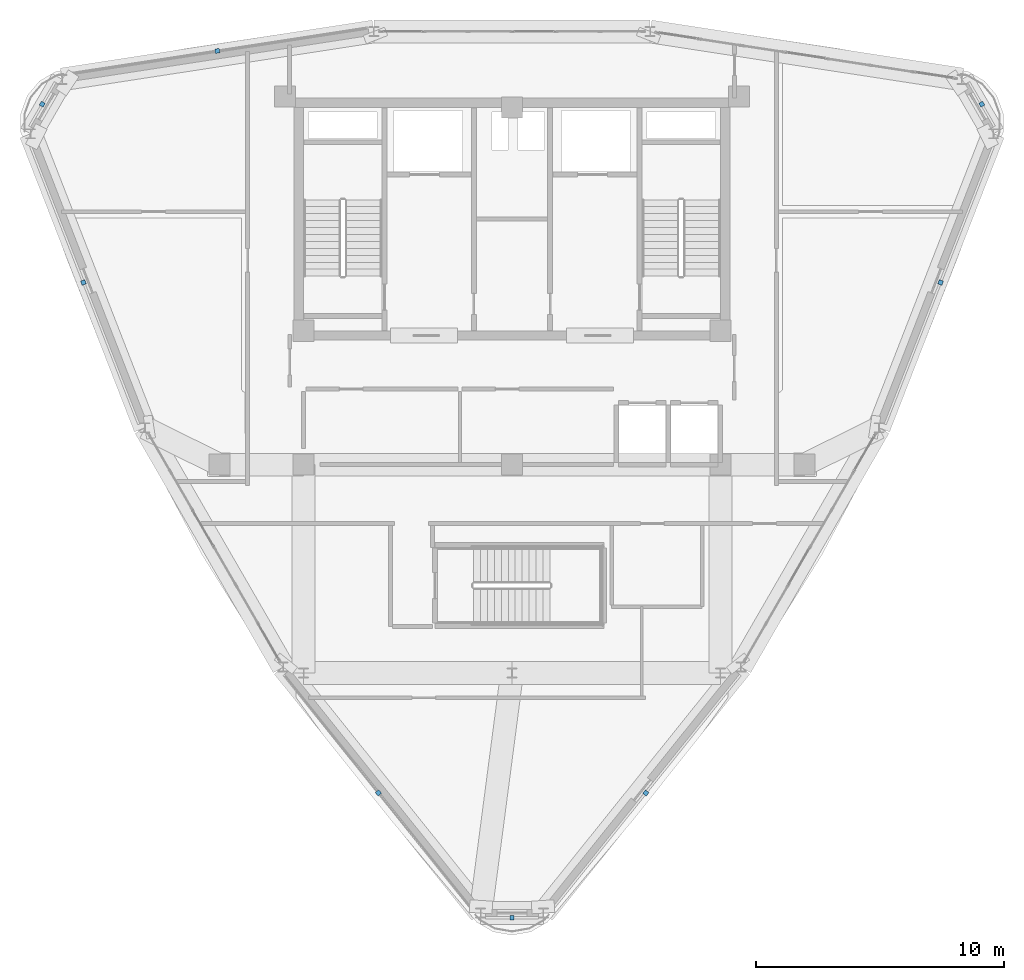
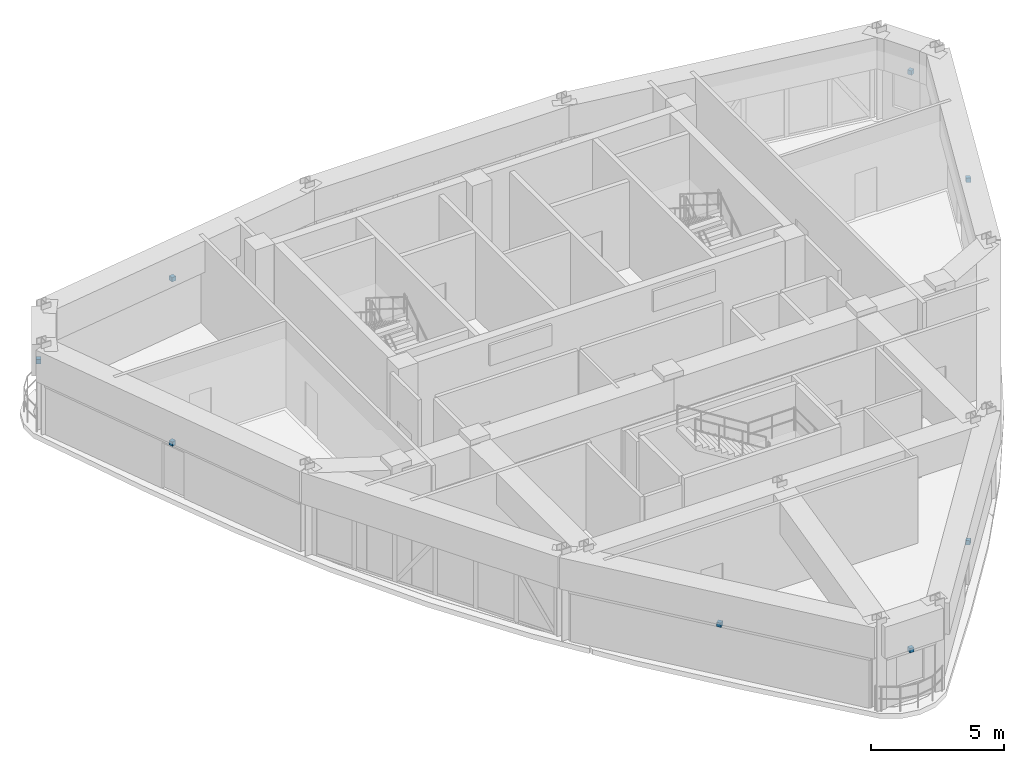
# One storey, part 15 of 17: 8 discrete accessories.
"""IFC4 building model written with IfcOpenShell, lengths in metres."""

from ifc_helpers import new_model, si_unit, derived_unit, direction, frame, origin, origin_2d, place, context, subcontext, project, spatial, rectangle, extrude, source, transform, mapped, material, type_object, element, save


model = new_model("IFC4")

# Units and contexts
model_context = context("Model", 3, precision=1e-05, world=origin(), true_north=direction((0.0, 1.0)))
body_context = subcontext(model_context, "Body", "Model", "MODEL_VIEW")
ifc_project = project(units=[si_unit("LENGTHUNIT", "METRE"), si_unit("AREAUNIT", "SQUARE_METRE"), si_unit("VOLUMEUNIT", "CUBIC_METRE"), si_unit("PLANEANGLEUNIT", "RADIAN"), si_unit("MASSUNIT", "GRAM", prefix="KILO"), derived_unit("THERMALTRANSMITTANCEUNIT", [(si_unit("POWERUNIT", "WATT"), 1), (si_unit("LENGTHUNIT", "METRE"), -2), (si_unit("THERMODYNAMICTEMPERATUREUNIT", "KELVIN"), -1)])], contexts=[model_context])

# Site, building, storey
site_placement = place(None, origin())
site = spatial("IfcSite", under=ifc_project, at=site_placement, CompositionType="ELEMENT")
building_placement = place(site_placement, origin())
building = spatial("IfcBuilding", under=site, at=building_placement, Name="Korsvarv Bourse and Concert Hall", CompositionType="ELEMENT")
storey_placement = place(building_placement, frame((0.0, 0.0, 279.60009765625)))
storey = spatial("IfcBuildingStorey", under=building, at=storey_placement, Name="L73", CompositionType="ELEMENT", Elevation=279.60009765625)

# Discrete accessories
ifc_material = material(Name="Stainless Steel S355 facade outrigger bracket", Category="steel")
discrete_accessory_type = type_object("IfcDiscreteAccessoryType", Name="ACC-BRK-1", PredefinedType="BRACKET", material=ifc_material)
shared_shape = source(origin(), body_context, "Body", "SweptSolid", [
    extrude(rectangle(XDim=0.179931640625, YDim=0.179931640625, at=origin_2d()), origin(), (0.0, 0.0, 1.0), 0.199951171875),
])
for number, where, z_axis, x_axis, name in (
    (1, (54.93701171875, 46.933349609375, 2.259765625), (0.0, 0.0, 1.0), (-0.5, 0.866025403784, 0.0), "L73 terracotta sunshade bracket EW-L73-B01"),
    (2, (24.118408203125, 49.07958984375, 2.259765625), (0.0, 0.0, 1.0), (-0.988388045954, -0.151950882248, 0.0), "L73 terracotta sunshade bracket EW-L73-B04"),
    (3, (17.06298828125, 46.933349609375, 2.259765625), (0.0, 0.0, 1.0), (-0.5, -0.866025403784, 0.0), "L73 terracotta sunshade bracket EW-L73-B05"),
    (4, (18.72265625, 39.746337890625, 2.259765625), (0.0, 0.0, 1.0), (0.362600698822, -0.931944597717, 0.0), "L73 terracotta sunshade bracket EW-L73-B06"),
    (5, (30.61328125, 19.17041015625, 2.259765625), (0.0, 0.0, 1.0), (0.625787347131, -0.779993715469, 0.0), "L73 terracotta sunshade bracket EW-L73-B08"),
    (6, (36.0, 14.13330078125, 2.259765625), (0.0, 0.0, 1.0), (1.0, 0.0, 0.0), "L73 terracotta sunshade bracket EW-L73-B09"),
    (7, (41.394287109375, 19.164306640625, 2.259765625), (0.0, 0.0, 1.0), (0.625787347131, 0.779993715469, 0.0), "L73 terracotta sunshade bracket EW-L73-B10"),
    (8, (53.27734375, 39.746337890625, 2.259765625), (0.0, 0.0, 1.0), (0.362600698822, 0.931944597717, 0.0), "L73 terracotta sunshade bracket EW-L73-B12"),
):
    element("IfcDiscreteAccessory", number, at=place(storey_placement, frame(where, z_axis=z_axis, x_axis=x_axis)), inside=storey, type_object=discrete_accessory_type, Name=name, PredefinedType="BRACKET", context=body_context, shape_type="MappedRepresentation", body=[
        mapped(shared_shape, transform((0.0, 0.0, 0.0), scale=1.0)),
    ])

save(model, "model.ifc")
